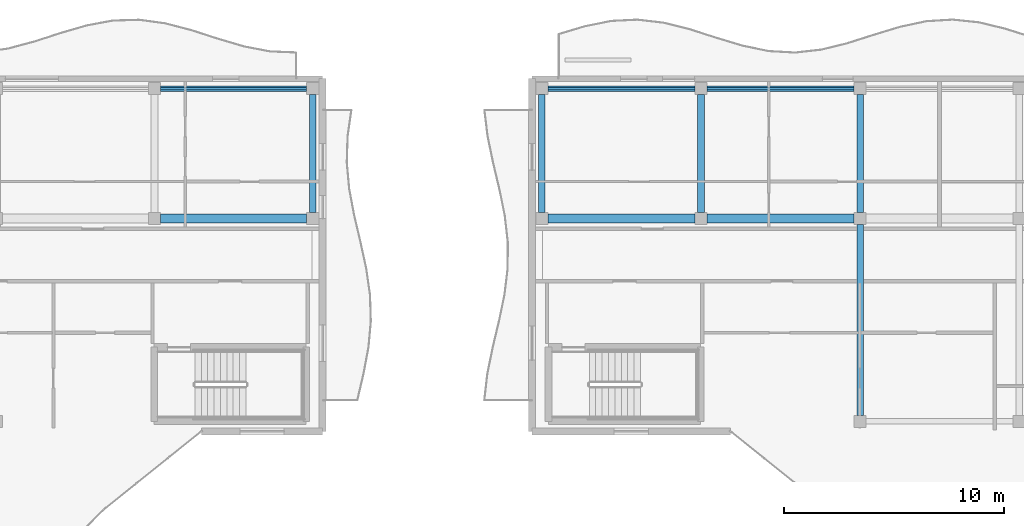
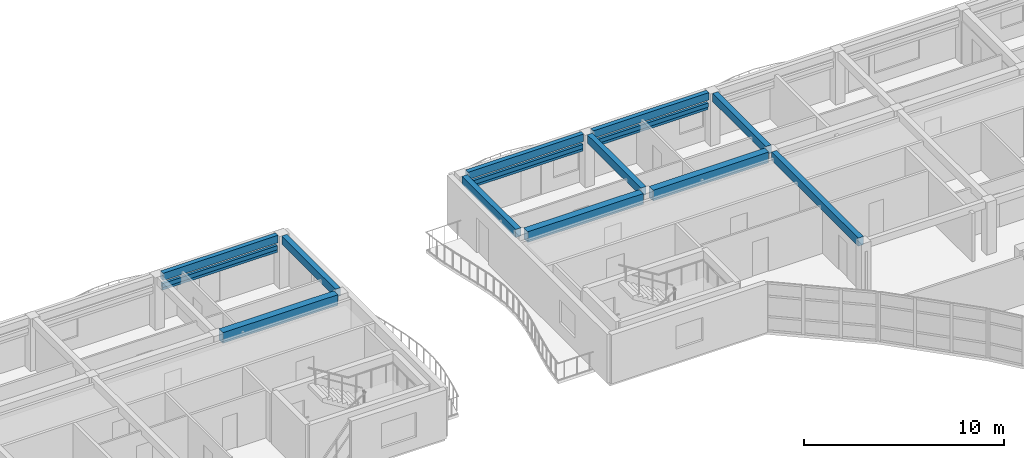
# One storey, part 19 of 68: 11 beams, 6 members.
"""IFC4 building model written with IfcOpenShell, lengths in metres."""

from ifc_helpers import new_model, si_unit, direction, frame, origin, origin_2d, place, context, subcontext, project, spatial, rectangle, hollow_rectangle, extrude, material, material_profile, profile_set, type_object, element, save


model = new_model("IFC4")

# Units and contexts
model_context = context("Model", 3, precision=1e-05, world=origin(), true_north=direction((0.0, 1.0)))
body_context = subcontext(model_context, "Body", "Model", "MODEL_VIEW")
ifc_project = project(units=[si_unit("LENGTHUNIT", "METRE"), si_unit("AREAUNIT", "SQUARE_METRE"), si_unit("VOLUMEUNIT", "CUBIC_METRE"), si_unit("PLANEANGLEUNIT", "RADIAN"), si_unit("MASSUNIT", "GRAM", prefix="KILO")], contexts=[model_context])

# Site, building, storey
site_placement = place(None, origin())
site = spatial("IfcSite", under=ifc_project, at=site_placement, CompositionType="ELEMENT")
building_placement = place(site_placement, origin())
building = spatial("IfcBuilding", under=site, at=building_placement, Name="Keldmere Railside Commons", CompositionType="ELEMENT")
storey_placement = place(building_placement, frame((0.0, 0.0, 23.360107421875)))
storey = spatial("IfcBuildingStorey", under=building, at=storey_placement, Name="L07", CompositionType="ELEMENT", Elevation=23.360107421875)

# Members
ifc_material_1 = material(Name="Steel F-36 (S355)", Category="steel")
ifc_material_profile_1 = material_profile(ifc_material_1, hollow_rectangle(XDim=0.14990234375, YDim=0.25, WallThickness=0.010009765625, at=origin_2d()), Name="RHS-250x150x10")
ifc_profile_set_1 = profile_set([ifc_material_profile_1], Name="Steel F-36 (S355)")
member_type_1 = type_object("IfcMemberType", Name="Balcony Continuous Planted Trough RHS250x150", PredefinedType="CHORD", material=ifc_profile_set_1)
member_1_placement = place(storey_placement, frame((130.14208984375, 115.550048828125, 2.414794921875), z_axis=(1.0, 0.0, 0.0), x_axis=(0.0, 1.0, 0.0)))
element("IfcMember", 1, at=member_1_placement, inside=storey, type_object=member_type_1, Name="PLT-1 MEM-BPLT-0821", PredefinedType="CHORD", context=body_context, shape_type="SweptSolid", body=[
    extrude(hollow_rectangle(XDim=0.14990234375, YDim=0.25, WallThickness=0.010009765625, at=origin_2d()), origin(), (0.0, 0.0, 1.0), 6.6328125),
])
for number, where, z_axis, x_axis, name in (
    (2, (147.72509765625, 115.550048828125, 2.414794921875), (1.0, 0.0, 0.0), (0.0, 1.0, 0.0), "PLT-1 MEM-BPLT-0839"),
    (3, (154.945068359375, 115.550048828125, 2.414794921875), (1.0, 0.0, 0.0), (0.0, 1.0, 0.0), "PLT-1 MEM-BPLT-0841"),
):
    element("IfcMember", number, at=place(storey_placement, frame(where, z_axis=z_axis, x_axis=x_axis)), inside=storey, type_object=member_type_1, Name=name, PredefinedType="CHORD", context=body_context, shape_type="SweptSolid", body=[
        extrude(hollow_rectangle(XDim=0.14990234375, YDim=0.25, WallThickness=0.010009765625, at=origin_2d()), origin(), (0.0, 0.0, 1.0), 6.669921875),
    ])

# Beams
ifc_material_2 = material(Name="Architectural Precast Concrete H-35 (C35/45)", Category="concrete")
ifc_material_profile_2 = material_profile(ifc_material_2, rectangle(XDim=0.25, YDim=0.449951171875, at=origin_2d()), Name="RC-250x450")
ifc_profile_set_2 = profile_set([ifc_material_profile_2], Name="Architectural Precast Concrete H-35 (C35/45)")
beam_type_1 = type_object("IfcBeamType", Name="Perimeter Precast Spandrel Beam 250x450", PredefinedType="SPANDREL", material=ifc_profile_set_2)
beam_1_placement = place(storey_placement, frame((130.14208984375, 115.550048828125, 2.974853515625), z_axis=(1.0, 0.0, 0.0), x_axis=(0.0, 1.0, 0.0)))
element("IfcBeam", 4, at=beam_1_placement, inside=storey, type_object=beam_type_1, Name="SPB-1 BM-L07-2088", PredefinedType="SPANDREL", context=body_context, shape_type="SweptSolid", body=[
    extrude(rectangle(XDim=0.25, YDim=0.449951171875, at=origin_2d()), origin(), (0.0, 0.0, 1.0), 6.6328125),
])
for number, where, z_axis, x_axis, name in (
    (5, (147.72509765625, 115.550048828125, 2.974853515625), (1.0, 0.0, 0.0), (0.0, 1.0, 0.0), "SPB-1 BM-L07-2089"),
    (6, (154.945068359375, 115.550048828125, 2.974853515625), (1.0, 0.0, 0.0), (0.0, 1.0, 0.0), "SPB-1 BM-L07-2090"),
):
    element("IfcBeam", number, at=place(storey_placement, frame(where, z_axis=z_axis, x_axis=x_axis)), inside=storey, type_object=beam_type_1, Name=name, PredefinedType="SPANDREL", context=body_context, shape_type="SweptSolid", body=[
        extrude(rectangle(XDim=0.25, YDim=0.449951171875, at=origin_2d()), origin(), (0.0, 0.0, 1.0), 6.669921875),
    ])
ifc_material_3 = material(Name="Concrete H-30 (C30/37)", Category="concrete")
ifc_material_profile_3 = material_profile(ifc_material_3, rectangle(XDim=0.39990234375, YDim=0.64990234375, at=origin_2d()), Name="RC-400x650")
ifc_profile_set_3 = profile_set([ifc_material_profile_3], Name="Concrete H-30 (C30/37)")
beam_type_2 = type_object("IfcBeamType", Name="Residential Spine RC Girder 400x650", PredefinedType="BEAM", material=ifc_profile_set_3)
beam_2_placement = place(storey_placement, frame((130.14208984375, 109.64990234375, 2.875), z_axis=(1.0, 0.0, 0.0), x_axis=(0.0, 1.0, 0.0)))
element("IfcBeam", 7, at=beam_2_placement, inside=storey, type_object=beam_type_2, Name="BG-3 BM-L07-2077", PredefinedType="BEAM", context=body_context, shape_type="SweptSolid", body=[
    extrude(rectangle(XDim=0.39990234375, YDim=0.64990234375, at=origin_2d()), origin(), (0.0, 0.0, 1.0), 6.6328125),
])
for number, where, z_axis, x_axis, name in (
    (8, (147.72509765625, 109.64990234375, 2.875), (1.0, 0.0, 0.0), (0.0, 1.0, 0.0), "BG-3 BM-L07-2078"),
    (9, (154.945068359375, 109.64990234375, 2.875), (1.0, 0.0, 0.0), (0.0, 1.0, 0.0), "BG-3 BM-L07-2079"),
):
    element("IfcBeam", number, at=place(storey_placement, frame(where, z_axis=z_axis, x_axis=x_axis)), inside=storey, type_object=beam_type_2, Name=name, PredefinedType="BEAM", context=body_context, shape_type="SweptSolid", body=[
        extrude(rectangle(XDim=0.39990234375, YDim=0.64990234375, at=origin_2d()), origin(), (0.0, 0.0, 1.0), 6.669921875),
    ])
ifc_material_profile_4 = material_profile(ifc_material_3, rectangle(XDim=0.300048828125, YDim=0.5, at=origin_2d()), Name="RC-300x500")
ifc_profile_set_4 = profile_set([ifc_material_profile_4], Name="Concrete H-30 (C30/37)")
beam_type_3 = type_object("IfcBeamType", Name="Secondary Frame RC Beam 300x500", PredefinedType="BEAM", material=ifc_profile_set_4)
for number, where, z_axis, x_axis, name in (
    (10, (137.050048828125, 109.925048828125, 2.949951171875), (0.0, 1.0, 0.0), (-1.0, 0.0, 0.0), "BG-5 BM-L07-2140"),
    (11, (147.449951171875, 109.925048828125, 2.949951171875), (0.0, 1.0, 0.0), (-1.0, 0.0, 0.0), "BG-5 BM-L07-2141"),
    (12, (154.669921875, 109.925048828125, 2.949951171875), (0.0, 1.0, 0.0), (-1.0, 0.0, 0.0), "BG-5 BM-L07-2142"),
):
    element("IfcBeam", number, at=place(storey_placement, frame(where, z_axis=z_axis, x_axis=x_axis)), inside=storey, type_object=beam_type_3, Name=name, PredefinedType="BEAM", context=body_context, shape_type="SweptSolid", body=[
        extrude(rectangle(XDim=0.300048828125, YDim=0.5, at=origin_2d()), origin(), (0.0, 0.0, 1.0), 5.349853515625),
    ])
beam_3_placement = place(storey_placement, frame((161.889892578125, 100.72509765625, 2.949951171875), z_axis=(0.0, 1.0, 0.0), x_axis=(-1.0, 0.0, 0.0)))
element("IfcBeam", 13, at=beam_3_placement, inside=storey, type_object=beam_type_3, Name="BG-5 BM-L07-2143", PredefinedType="BEAM", context=body_context, shape_type="SweptSolid", body=[
    extrude(rectangle(XDim=0.300048828125, YDim=0.5, at=origin_2d()), origin(), (0.0, 0.0, 1.0), 8.64990234375),
])
beam_4_placement = place(storey_placement, frame((161.889892578125, 109.925048828125, 2.949951171875), z_axis=(0.0, 1.0, 0.0), x_axis=(-1.0, 0.0, 0.0)))
element("IfcBeam", 14, at=beam_4_placement, inside=storey, type_object=beam_type_3, Name="BG-5 BM-L07-2144", PredefinedType="BEAM", context=body_context, shape_type="SweptSolid", body=[
    extrude(rectangle(XDim=0.300048828125, YDim=0.5, at=origin_2d()), origin(), (0.0, 0.0, 1.0), 5.349853515625),
])

# Members
ifc_material_profile_5 = material_profile(ifc_material_1, hollow_rectangle(XDim=0.10009765625, YDim=0.159912109375, WallThickness=0.008056640625, at=origin_2d()), Name="RHS-160x100x8")
ifc_profile_set_5 = profile_set([ifc_material_profile_5], Name="Steel F-36 (S355)")
member_type_2 = type_object("IfcMemberType", Name="Solar Brise-Soleil Louvre Fin RHS160x100", PredefinedType="STRUT", material=ifc_profile_set_5)
member_2_placement = place(storey_placement, frame((130.14208984375, 115.550048828125, 2.199951171875), z_axis=(1.0, 0.0, 0.0), x_axis=(0.0, 1.0, 0.0)))
element("IfcMember", 15, at=member_2_placement, inside=storey, type_object=member_type_2, Name="BSF-1 MEM-BSF-0822", PredefinedType="STRUT", context=body_context, shape_type="SweptSolid", body=[
    extrude(hollow_rectangle(XDim=0.10009765625, YDim=0.159912109375, WallThickness=0.008056640625, at=origin_2d()), origin(), (0.0, 0.0, 1.0), 6.6328125),
])
for number, where, z_axis, x_axis, name in (
    (16, (147.72509765625, 115.550048828125, 2.199951171875), (1.0, 0.0, 0.0), (0.0, 1.0, 0.0), "BSF-1 MEM-BSF-0840"),
    (17, (154.945068359375, 115.550048828125, 2.199951171875), (1.0, 0.0, 0.0), (0.0, 1.0, 0.0), "BSF-1 MEM-BSF-0842"),
):
    element("IfcMember", number, at=place(storey_placement, frame(where, z_axis=z_axis, x_axis=x_axis)), inside=storey, type_object=member_type_2, Name=name, PredefinedType="STRUT", context=body_context, shape_type="SweptSolid", body=[
        extrude(hollow_rectangle(XDim=0.10009765625, YDim=0.159912109375, WallThickness=0.008056640625, at=origin_2d()), origin(), (0.0, 0.0, 1.0), 6.669921875),
    ])

save(model, "model.ifc")
